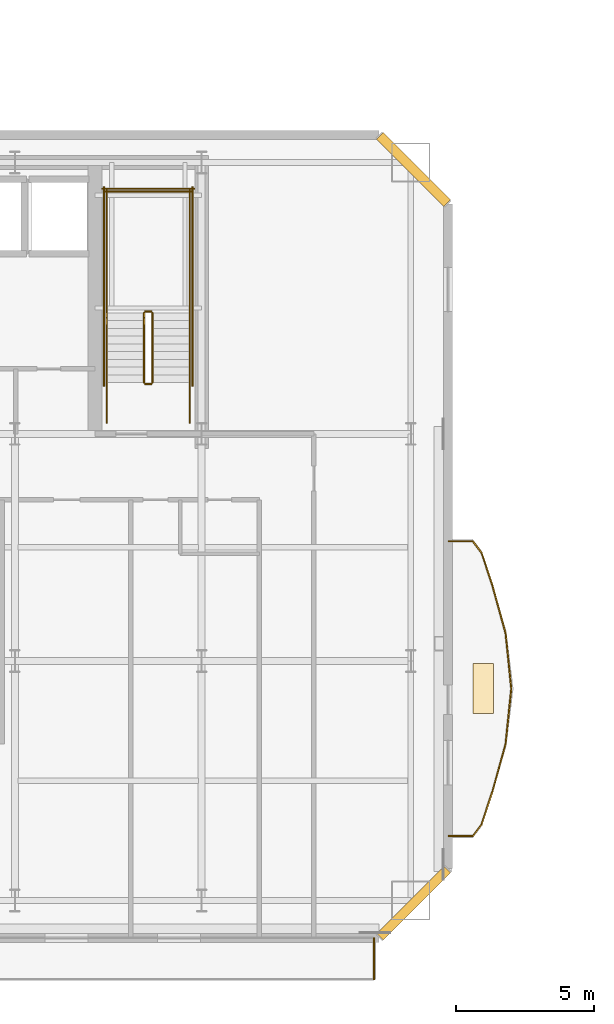
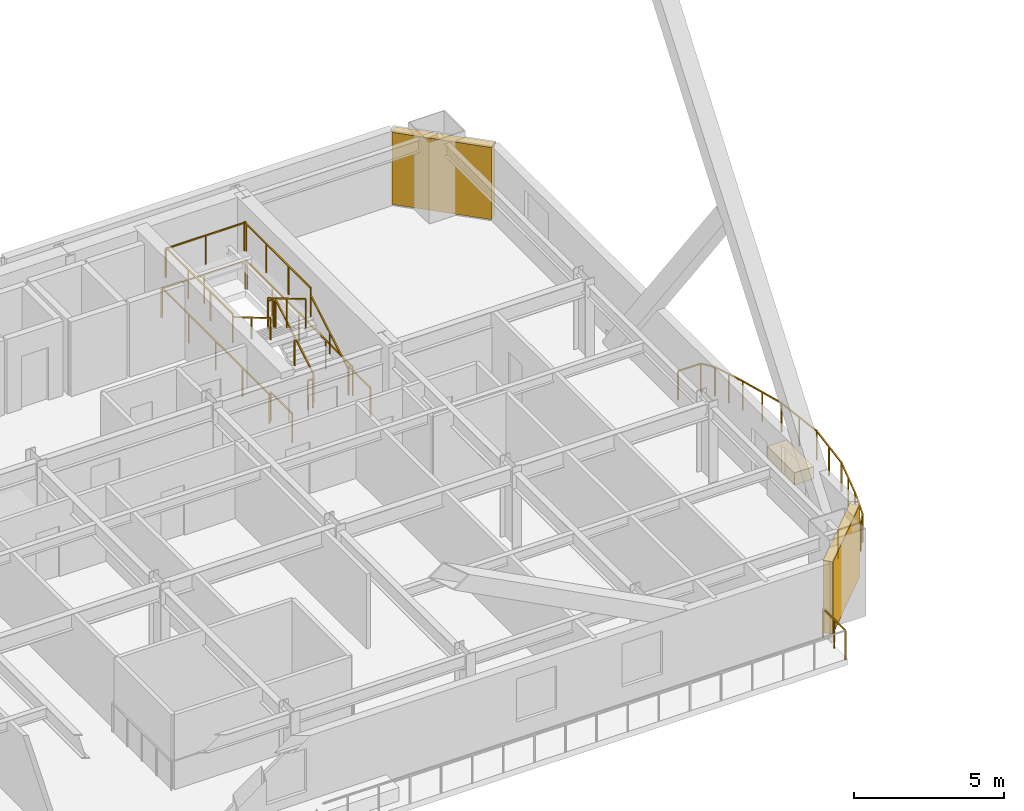
# One storey, part 19 of 22: 25 railings, 2 shading devices, 1 covering.
"""IFC4 building model written with IfcOpenShell, lengths in metres."""

from ifc_helpers import new_model, si_unit, direction, frame, origin, origin_2d, place, context, subcontext, project, spatial, rectangle, extrude, material, layer, layer_set, type_object, element, save


model = new_model("IFC4")

# Units and contexts
model_context = context("Model", 3, precision=1e-05, world=origin(), true_north=direction((0.0, 1.0)))
body_context = subcontext(model_context, "Body", "Model", "MODEL_VIEW")
ifc_project = project(units=[si_unit("LENGTHUNIT", "METRE"), si_unit("AREAUNIT", "SQUARE_METRE"), si_unit("VOLUMEUNIT", "CUBIC_METRE"), si_unit("PLANEANGLEUNIT", "RADIAN"), si_unit("MASSUNIT", "GRAM", prefix="KILO")], contexts=[model_context])

# Site, building, storey
site_placement = place(None, origin())
site = spatial("IfcSite", under=ifc_project, at=site_placement, CompositionType="ELEMENT")
building_placement = place(site_placement, origin())
building = spatial("IfcBuilding", under=site, at=building_placement, Name="Haevon Station Towers", CompositionType="ELEMENT")
storey_placement = place(building_placement, frame((0.0, 0.0, 113.10009765625)))
storey = spatial("IfcBuildingStorey", under=building, at=storey_placement, Name="L30", CompositionType="ELEMENT", Elevation=113.10009765625)

# Railings
ifc_material_1 = material(Name="Steel S355", Category="steel")
railing_type_1 = type_object("IfcRailingType", Name="GRD-EXT1200", PredefinedType="GUARDRAIL", material=ifc_material_1)
railing_1_placement = place(storey_placement, frame((57.219970703125, 18.5029296875, 0.0)))
element("IfcRailing", 1, at=railing_1_placement, inside=storey, type_object=railing_type_1, Name="L30 Perimeter Guardrail 2", PredefinedType="GUARDRAIL", context=body_context, shape_type="SweptSolid", body=[
    extrude(rectangle(XDim=0.048095703125, YDim=0.048095703125, at=origin_2d()), frame((0.0, 0.0, 1.17578125), z_axis=(0.0, 1.0, 0.0), x_axis=(-1.0, 0.0, 0.0)), (0.0, 0.0, 1.0), 1.489013671875),
    extrude(rectangle(XDim=0.0419921875, YDim=0.0419921875, at=origin_2d()), origin(), (0.0, 0.0, 1.0), 1.15185546875),
    extrude(rectangle(XDim=0.0419921875, YDim=0.0419921875, at=origin_2d()), frame((0.0, 0.74462890625, 0.0)), (0.0, 0.0, 1.0), 1.15185546875),
    extrude(rectangle(XDim=0.0419921875, YDim=0.0419921875, at=origin_2d()), frame((0.0, 1.489013671875, 0.0)), (0.0, 0.0, 1.0), 1.15185546875),
])
railing_2_placement = place(storey_placement, frame((59.92333984375, 23.677978515625, 0.0)))
element("IfcRailing", 2, at=railing_2_placement, inside=storey, type_object=railing_type_1, Name="L30 Perimeter Guardrail 1", PredefinedType="GUARDRAIL", context=body_context, shape_type="SweptSolid", body=[
    extrude(rectangle(XDim=0.048095703125, YDim=0.048095703125, at=origin_2d()), frame((0.0, 0.0, 1.17578125), z_axis=(0.999998067939, 0.001965736163, 0.0), x_axis=(-0.001965736163, 0.999998067939, 0.0)), (0.0, 0.0, 1.0), 0.869384765625),
    extrude(rectangle(XDim=0.0419921875, YDim=0.0419921875, at=origin_2d()), origin(), (0.0, 0.0, 1.0), 1.15185546875),
    extrude(rectangle(XDim=0.0419921875, YDim=0.0419921875, at=origin_2d()), frame((0.869384765625, 0.001708984375, 0.0)), (0.0, 0.0, 1.0), 1.15185546875),
])
railing_3_placement = place(storey_placement, frame((60.792724609375, 23.6796875, 0.0)))
element("IfcRailing", 3, at=railing_3_placement, inside=storey, type_object=railing_type_1, Name="L30 Perimeter Guardrail 2", PredefinedType="GUARDRAIL", context=body_context, shape_type="SweptSolid", body=[
    extrude(rectangle(XDim=0.048095703125, YDim=0.048095703125, at=origin_2d()), frame((0.0, 0.0, 1.17578125), z_axis=(0.603100928496, 0.797664885805, 0.0), x_axis=(-0.797664885805, 0.603100928496, 0.0)), (0.0, 0.0, 1.0), 0.515625),
    extrude(rectangle(XDim=0.0419921875, YDim=0.0419921875, at=origin_2d()), origin(), (0.0, 0.0, 1.0), 1.15185546875),
    extrude(rectangle(XDim=0.0419921875, YDim=0.0419921875, at=origin_2d()), frame((0.31103515625, 0.411376953125, 0.0)), (0.0, 0.0, 1.0), 1.15185546875),
])
railing_4_placement = place(storey_placement, frame((61.103759765625, 24.091064453125, 0.0)))
element("IfcRailing", 4, at=railing_4_placement, inside=storey, type_object=railing_type_1, Name="L30 Perimeter Guardrail 3", PredefinedType="GUARDRAIL", context=body_context, shape_type="SweptSolid", body=[
    extrude(rectangle(XDim=0.048095703125, YDim=0.048095703125, at=origin_2d()), frame((0.0, 0.0, 1.17578125), z_axis=(0.315217781166, 0.949019362519, 0.0), x_axis=(-0.949019362519, 0.315217781166, 0.0)), (0.0, 0.0, 1.0), 1.23291015625),
    extrude(rectangle(XDim=0.0419921875, YDim=0.0419921875, at=origin_2d()), origin(), (0.0, 0.0, 1.0), 1.15185546875),
    extrude(rectangle(XDim=0.0419921875, YDim=0.0419921875, at=origin_2d()), frame((0.1943359375, 0.5849609375, 0.0)), (0.0, 0.0, 1.0), 1.15185546875),
    extrude(rectangle(XDim=0.0419921875, YDim=0.0419921875, at=origin_2d()), frame((0.388671875, 1.170166015625, 0.0)), (0.0, 0.0, 1.0), 1.15185546875),
])
railing_5_placement = place(storey_placement, frame((61.492431640625, 25.26123046875, 0.0)))
element("IfcRailing", 5, at=railing_5_placement, inside=storey, type_object=railing_type_1, Name="L30 Perimeter Guardrail 4", PredefinedType="GUARDRAIL", context=body_context, shape_type="SweptSolid", body=[
    extrude(rectangle(XDim=0.048095703125, YDim=0.048095703125, at=origin_2d()), frame((0.0, 0.0, 1.17578125), z_axis=(0.266399621619, 0.963862667397, 0.0), x_axis=(-0.963862667397, 0.266399621619, 0.0)), (0.0, 0.0, 1.0), 1.811767578125),
    extrude(rectangle(XDim=0.0419921875, YDim=0.0419921875, at=origin_2d()), origin(), (0.0, 0.0, 1.0), 1.15185546875),
    extrude(rectangle(XDim=0.0419921875, YDim=0.0419921875, at=origin_2d()), frame((0.2412109375, 0.873046875, 0.0)), (0.0, 0.0, 1.0), 1.15185546875),
    extrude(rectangle(XDim=0.0419921875, YDim=0.0419921875, at=origin_2d()), frame((0.482666015625, 1.746337890625, 0.0)), (0.0, 0.0, 1.0), 1.15185546875),
])
railing_6_placement = place(storey_placement, frame((61.97509765625, 27.007568359375, 0.0)))
element("IfcRailing", 6, at=railing_6_placement, inside=storey, type_object=railing_type_1, Name="L30 Perimeter Guardrail 5", PredefinedType="GUARDRAIL", context=body_context, shape_type="SweptSolid", body=[
    extrude(rectangle(XDim=0.048095703125, YDim=0.048095703125, at=origin_2d()), frame((0.0, 0.0, 1.17578125), z_axis=(0.101663875027, 0.994818805871, 0.0), x_axis=(-0.994818805871, 0.101663875027, 0.0)), (0.0, 0.0, 1.0), 2.0029296875),
    extrude(rectangle(XDim=0.0419921875, YDim=0.0419921875, at=origin_2d()), origin(), (0.0, 0.0, 1.0), 1.15185546875),
    extrude(rectangle(XDim=0.0419921875, YDim=0.0419921875, at=origin_2d()), frame((0.101806640625, 0.99609375, 0.0)), (0.0, 0.0, 1.0), 1.15185546875),
    extrude(rectangle(XDim=0.0419921875, YDim=0.0419921875, at=origin_2d()), frame((0.20361328125, 1.992431640625, 0.0)), (0.0, 0.0, 1.0), 1.15185546875),
])
railing_7_placement = place(storey_placement, frame((62.1787109375, 29.0, 0.0)))
element("IfcRailing", 7, at=railing_7_placement, inside=storey, type_object=railing_type_1, Name="L30 Perimeter Guardrail 6", PredefinedType="GUARDRAIL", context=body_context, shape_type="SweptSolid", body=[
    extrude(rectangle(XDim=0.048095703125, YDim=0.048095703125, at=origin_2d()), frame((0.0, 0.0, 1.17578125), z_axis=(-0.101663875027, 0.994818805871, 0.0), x_axis=(-0.994818805871, -0.101663875027, 0.0)), (0.0, 0.0, 1.0), 2.0029296875),
    extrude(rectangle(XDim=0.0419921875, YDim=0.0419921875, at=origin_2d()), origin(), (0.0, 0.0, 1.0), 1.15185546875),
    extrude(rectangle(XDim=0.0419921875, YDim=0.0419921875, at=origin_2d()), frame((-0.101806640625, 0.99609375, 0.0)), (0.0, 0.0, 1.0), 1.15185546875),
    extrude(rectangle(XDim=0.0419921875, YDim=0.0419921875, at=origin_2d()), frame((-0.20361328125, 1.992431640625, 0.0)), (0.0, 0.0, 1.0), 1.15185546875),
])
railing_8_placement = place(storey_placement, frame((61.97509765625, 30.992431640625, 0.0)))
element("IfcRailing", 8, at=railing_8_placement, inside=storey, type_object=railing_type_1, Name="L30 Perimeter Guardrail 7", PredefinedType="GUARDRAIL", context=body_context, shape_type="SweptSolid", body=[
    extrude(rectangle(XDim=0.048095703125, YDim=0.048095703125, at=origin_2d()), frame((0.0, 0.0, 1.17578125), z_axis=(-0.266399621619, 0.963862667397, 0.0), x_axis=(-0.963862667397, -0.266399621619, 0.0)), (0.0, 0.0, 1.0), 1.811767578125),
    extrude(rectangle(XDim=0.0419921875, YDim=0.0419921875, at=origin_2d()), origin(), (0.0, 0.0, 1.0), 1.15185546875),
    extrude(rectangle(XDim=0.0419921875, YDim=0.0419921875, at=origin_2d()), frame((-0.2412109375, 0.873046875, 0.0)), (0.0, 0.0, 1.0), 1.15185546875),
    extrude(rectangle(XDim=0.0419921875, YDim=0.0419921875, at=origin_2d()), frame((-0.482666015625, 1.746337890625, 0.0)), (0.0, 0.0, 1.0), 1.15185546875),
])
railing_9_placement = place(storey_placement, frame((61.492431640625, 32.73876953125, 0.0)))
element("IfcRailing", 9, at=railing_9_placement, inside=storey, type_object=railing_type_1, Name="L30 Perimeter Guardrail 8", PredefinedType="GUARDRAIL", context=body_context, shape_type="SweptSolid", body=[
    extrude(rectangle(XDim=0.048095703125, YDim=0.048095703125, at=origin_2d()), frame((0.0, 0.0, 1.17578125), z_axis=(-0.315217781166, 0.949019362519, 0.0), x_axis=(-0.949019362519, -0.315217781166, 0.0)), (0.0, 0.0, 1.0), 1.23291015625),
    extrude(rectangle(XDim=0.0419921875, YDim=0.0419921875, at=origin_2d()), origin(), (0.0, 0.0, 1.0), 1.15185546875),
    extrude(rectangle(XDim=0.0419921875, YDim=0.0419921875, at=origin_2d()), frame((-0.1943359375, 0.5849609375, 0.0)), (0.0, 0.0, 1.0), 1.15185546875),
    extrude(rectangle(XDim=0.0419921875, YDim=0.0419921875, at=origin_2d()), frame((-0.388671875, 1.170166015625, 0.0)), (0.0, 0.0, 1.0), 1.15185546875),
])
railing_10_placement = place(storey_placement, frame((61.103759765625, 33.908935546875, 0.0)))
element("IfcRailing", 10, at=railing_10_placement, inside=storey, type_object=railing_type_1, Name="L30 Perimeter Guardrail 9", PredefinedType="GUARDRAIL", context=body_context, shape_type="SweptSolid", body=[
    extrude(rectangle(XDim=0.048095703125, YDim=0.048095703125, at=origin_2d()), frame((0.0, 0.0, 1.17578125), z_axis=(-0.603100928496, 0.797664885805, 0.0), x_axis=(-0.797664885805, -0.603100928496, 0.0)), (0.0, 0.0, 1.0), 0.515625),
    extrude(rectangle(XDim=0.0419921875, YDim=0.0419921875, at=origin_2d()), origin(), (0.0, 0.0, 1.0), 1.15185546875),
    extrude(rectangle(XDim=0.0419921875, YDim=0.0419921875, at=origin_2d()), frame((-0.31103515625, 0.411376953125, 0.0)), (0.0, 0.0, 1.0), 1.15185546875),
])
railing_11_placement = place(storey_placement, frame((60.792724609375, 34.3203125, 0.0)))
element("IfcRailing", 11, at=railing_11_placement, inside=storey, type_object=railing_type_1, Name="L30 Perimeter Guardrail 10", PredefinedType="GUARDRAIL", context=body_context, shape_type="SweptSolid", body=[
    extrude(rectangle(XDim=0.048095703125, YDim=0.048095703125, at=origin_2d()), frame((0.0, 0.0, 1.17578125), z_axis=(-0.999998067939, 0.001965736163, 0.0), x_axis=(-0.001965736163, -0.999998067939, 0.0)), (0.0, 0.0, 1.0), 0.869384765625),
    extrude(rectangle(XDim=0.0419921875, YDim=0.0419921875, at=origin_2d()), origin(), (0.0, 0.0, 1.0), 1.15185546875),
    extrude(rectangle(XDim=0.0419921875, YDim=0.0419921875, at=origin_2d()), frame((-0.869384765625, 0.001708984375, 0.0)), (0.0, 0.0, 1.0), 1.15185546875),
])
railing_type_2 = type_object("IfcRailingType", Name="GRD-STR1200", PredefinedType="GUARDRAIL", material=ifc_material_1)
railing_12_placement = place(storey_placement, frame((49.219970703125, 40.050048828125, 0.164794921875)))
element("IfcRailing", 12, at=railing_12_placement, inside=storey, type_object=railing_type_2, Name="L30 ST2 Stair Guard 1", PredefinedType="GUARDRAIL", context=body_context, shape_type="SweptSolid", body=[
    extrude(rectangle(XDim=0.048095703125, YDim=0.048095703125, at=origin_2d()), frame((0.0, 0.0, 1.17578125), z_axis=(0.0, 0.86152411907, 0.507716645641), x_axis=(-1.0, 0.0, 0.0)), (0.0, 0.0, 1.0), 2.925048828125),
    extrude(rectangle(XDim=0.0419921875, YDim=0.0419921875, at=origin_2d()), origin(), (0.0, 0.0, 1.0), 1.15185546875),
    extrude(rectangle(XDim=0.0419921875, YDim=0.0419921875, at=origin_2d()), frame((0.0, 1.260009765625, 0.74267578125)), (0.0, 0.0, 1.0), 1.15185546875),
    extrude(rectangle(XDim=0.0419921875, YDim=0.0419921875, at=origin_2d()), frame((0.0, 2.52001953125, 1.485107421875)), (0.0, 0.0, 1.0), 1.15185546875),
])
railing_13_placement = place(storey_placement, frame((49.169921875, 42.6201171875, 1.64990234375)))
element("IfcRailing", 13, at=railing_13_placement, inside=storey, type_object=railing_type_2, Name="L30 ST2 Stair Guard 2", PredefinedType="GUARDRAIL", context=body_context, shape_type="SweptSolid", body=[
    extrude(rectangle(XDim=0.048095703125, YDim=0.048095703125, at=origin_2d()), frame((0.0, 0.0, 1.17578125), z_axis=(-1.0, 0.0, 0.0), x_axis=(0.0, -1.0, 0.0)), (0.0, 0.0, 1.0), 0.199951171875),
    extrude(rectangle(XDim=0.0419921875, YDim=0.0419921875, at=origin_2d()), origin(), (0.0, 0.0, 1.0), 1.15185546875),
    extrude(rectangle(XDim=0.0419921875, YDim=0.0419921875, at=origin_2d()), frame((-0.199951171875, 0.0, 0.0)), (0.0, 0.0, 1.0), 1.15185546875),
])
for number, where, name in (
    (14, (50.570068359375, 42.570068359375, 1.64990234375), "L30 ST2 Stair Guard 3"),
    (15, (47.570068359375, 42.570068359375, 1.64990234375), "L30 ST2 Stair Guard 4"),
):
    element("IfcRailing", number, at=place(storey_placement, frame(where)), inside=storey, type_object=railing_type_2, Name=name, PredefinedType="GUARDRAIL", context=body_context, shape_type="SweptSolid", body=[
        extrude(rectangle(XDim=0.048095703125, YDim=0.048095703125, at=origin_2d()), frame((0.0, 0.0, 1.17578125), z_axis=(0.0, 1.0, 0.0), x_axis=(-1.0, 0.0, 0.0)), (0.0, 0.0, 1.0), 4.429931640625),
        extrude(rectangle(XDim=0.0419921875, YDim=0.0419921875, at=origin_2d()), origin(), (0.0, 0.0, 1.0), 1.15185546875),
        extrude(rectangle(XDim=0.0419921875, YDim=0.0419921875, at=origin_2d()), frame((0.0, 1.4765625, 0.0)), (0.0, 0.0, 1.0), 1.15185546875),
        extrude(rectangle(XDim=0.0419921875, YDim=0.0419921875, at=origin_2d()), frame((0.0, 2.953369140625, 0.0)), (0.0, 0.0, 1.0), 1.15185546875),
        extrude(rectangle(XDim=0.0419921875, YDim=0.0419921875, at=origin_2d()), frame((0.0, 4.429931640625, 0.0)), (0.0, 0.0, 1.0), 1.15185546875),
    ])
railing_14_placement = place(storey_placement, frame((50.6201171875, 46.949951171875, 1.64990234375)))
element("IfcRailing", 16, at=railing_14_placement, inside=storey, type_object=railing_type_2, Name="L30 ST2 Stair Guard 5", PredefinedType="GUARDRAIL", context=body_context, shape_type="SweptSolid", body=[
    extrude(rectangle(XDim=0.048095703125, YDim=0.048095703125, at=origin_2d()), frame((0.0, 0.0, 1.17578125), z_axis=(-1.0, 0.0, 0.0), x_axis=(0.0, -1.0, 0.0)), (0.0, 0.0, 1.0), 3.10009765625),
    extrude(rectangle(XDim=0.0419921875, YDim=0.0419921875, at=origin_2d()), origin(), (0.0, 0.0, 1.0), 1.15185546875),
    extrude(rectangle(XDim=0.0419921875, YDim=0.0419921875, at=origin_2d()), frame((-1.550048828125, 0.0, 0.0)), (0.0, 0.0, 1.0), 1.15185546875),
    extrude(rectangle(XDim=0.0419921875, YDim=0.0419921875, at=origin_2d()), frame((-3.10009765625, 0.0, 0.0)), (0.0, 0.0, 1.0), 1.15185546875),
])
railing_15_placement = place(storey_placement, frame((48.919921875, 42.570068359375, 1.81494140625)))
element("IfcRailing", 17, at=railing_15_placement, inside=storey, type_object=railing_type_2, Name="L30 ST2 Stair Guard 6", PredefinedType="GUARDRAIL", context=body_context, shape_type="SweptSolid", body=[
    extrude(rectangle(XDim=0.048095703125, YDim=0.048095703125, at=origin_2d()), frame((0.0, 0.0, 1.17578125), z_axis=(0.0, -0.861560626758, 0.507654692109), x_axis=(1.0, 0.0, 0.0)), (0.0, 0.0, 1.0), 2.925048828125),
    extrude(rectangle(XDim=0.0419921875, YDim=0.0419921875, at=origin_2d()), origin(), (0.0, 0.0, 1.0), 1.15185546875),
    extrude(rectangle(XDim=0.0419921875, YDim=0.0419921875, at=origin_2d()), frame((0.0, -1.260009765625, 0.742431640625)), (0.0, 0.0, 1.0), 1.15185546875),
    extrude(rectangle(XDim=0.0419921875, YDim=0.0419921875, at=origin_2d()), frame((0.0, -2.52001953125, 1.48486328125)), (0.0, 0.0, 1.0), 1.15185546875),
])
railing_16_placement = place(storey_placement, frame((49.169921875, 40.0, 0.0)))
element("IfcRailing", 18, at=railing_16_placement, inside=storey, type_object=railing_type_2, Name="L30 ST2 Stair Guard 7", PredefinedType="GUARDRAIL", context=body_context, shape_type="SweptSolid", body=[
    extrude(rectangle(XDim=0.048095703125, YDim=0.048095703125, at=origin_2d()), frame((0.0, 0.0, 1.17578125), z_axis=(-1.0, 0.0, 0.0), x_axis=(0.0, -1.0, 0.0)), (0.0, 0.0, 1.0), 0.199951171875),
    extrude(rectangle(XDim=0.0419921875, YDim=0.0419921875, at=origin_2d()), origin(), (0.0, 0.0, 1.0), 1.15185546875),
    extrude(rectangle(XDim=0.0419921875, YDim=0.0419921875, at=origin_2d()), frame((-0.199951171875, 0.0, 0.0)), (0.0, 0.0, 1.0), 1.15185546875),
])
for number, where, name in (
    (19, (50.570068359375, 38.60009765625, 0.0), "L30 ST2 Stair Guard 8"),
    (20, (47.570068359375, 38.60009765625, 0.0), "L30 ST2 Stair Guard 9"),
):
    element("IfcRailing", number, at=place(storey_placement, frame(where)), inside=storey, type_object=railing_type_2, Name=name, PredefinedType="GUARDRAIL", context=body_context, shape_type="SweptSolid", body=[
        extrude(rectangle(XDim=0.048095703125, YDim=0.048095703125, at=origin_2d()), frame((0.0, 0.0, 1.17578125), z_axis=(0.0, 1.0, 0.0), x_axis=(-1.0, 0.0, 0.0)), (0.0, 0.0, 1.0), 1.449951171875),
        extrude(rectangle(XDim=0.0419921875, YDim=0.0419921875, at=origin_2d()), origin(), (0.0, 0.0, 1.0), 1.15185546875),
        extrude(rectangle(XDim=0.0419921875, YDim=0.0419921875, at=origin_2d()), frame((0.0, 1.449951171875, 0.0)), (0.0, 0.0, 1.0), 1.15185546875),
    ])
for number, where, name in (
    (21, (50.669921875, 39.949951171875, 0.0), "L30 ST2 Stair Guard 10"),
    (22, (47.469970703125, 39.949951171875, 0.0), "L30 ST2 Stair Guard 11"),
):
    element("IfcRailing", number, at=place(storey_placement, frame(where)), inside=storey, type_object=railing_type_2, Name=name, PredefinedType="GUARDRAIL", context=body_context, shape_type="SweptSolid", body=[
        extrude(rectangle(XDim=0.048095703125, YDim=0.048095703125, at=origin_2d()), frame((0.0, 0.0, 1.17578125), z_axis=(0.0, 1.0, 0.0), x_axis=(-1.0, 0.0, 0.0)), (0.0, 0.0, 1.0), 7.150146484375),
        extrude(rectangle(XDim=0.0419921875, YDim=0.0419921875, at=origin_2d()), origin(), (0.0, 0.0, 1.0), 1.15185546875),
        extrude(rectangle(XDim=0.0419921875, YDim=0.0419921875, at=origin_2d()), frame((0.0, 1.78759765625, 0.0)), (0.0, 0.0, 1.0), 1.15185546875),
        extrude(rectangle(XDim=0.0419921875, YDim=0.0419921875, at=origin_2d()), frame((0.0, 3.5751953125, 0.0)), (0.0, 0.0, 1.0), 1.15185546875),
        extrude(rectangle(XDim=0.0419921875, YDim=0.0419921875, at=origin_2d()), frame((0.0, 5.362548828125, 0.0)), (0.0, 0.0, 1.0), 1.15185546875),
        extrude(rectangle(XDim=0.0419921875, YDim=0.0419921875, at=origin_2d()), frame((0.0, 7.150146484375, 0.0)), (0.0, 0.0, 1.0), 1.15185546875),
    ])
railing_17_placement = place(storey_placement, frame((50.719970703125, 47.050048828125, 0.0)))
element("IfcRailing", 23, at=railing_17_placement, inside=storey, type_object=railing_type_2, Name="L30 ST2 Stair Guard 12", PredefinedType="GUARDRAIL", context=body_context, shape_type="SweptSolid", body=[
    extrude(rectangle(XDim=0.048095703125, YDim=0.048095703125, at=origin_2d()), frame((0.0, 0.0, 1.17578125), z_axis=(-1.0, 0.0, 0.0), x_axis=(0.0, -1.0, 0.0)), (0.0, 0.0, 1.0), 3.300048828125),
    extrude(rectangle(XDim=0.0419921875, YDim=0.0419921875, at=origin_2d()), origin(), (0.0, 0.0, 1.0), 1.15185546875),
    extrude(rectangle(XDim=0.0419921875, YDim=0.0419921875, at=origin_2d()), frame((-1.64990234375, 0.0, 0.0)), (0.0, 0.0, 1.0), 1.15185546875),
    extrude(rectangle(XDim=0.0419921875, YDim=0.0419921875, at=origin_2d()), frame((-3.300048828125, 0.0, 0.0)), (0.0, 0.0, 1.0), 1.15185546875),
])
railing_type_3 = type_object("IfcRailingType", Name="HND-STR900", PredefinedType="HANDRAIL", material=ifc_material_1)
railing_18_placement = place(storey_placement, frame((50.570068359375, 40.050048828125, 0.164794921875)))
element("IfcRailing", 24, at=railing_18_placement, inside=storey, type_object=railing_type_3, Name="L30 ST2 Stair Handrail 1", PredefinedType="HANDRAIL", context=body_context, shape_type="SweptSolid", body=[
    extrude(rectangle(XDim=0.048095703125, YDim=0.048095703125, at=origin_2d()), frame((0.0, 0.0, 0.8759765625), z_axis=(0.0, 0.86152411907, 0.507716645641), x_axis=(-1.0, 0.0, 0.0)), (0.0, 0.0, 1.0), 2.925048828125),
    extrude(rectangle(XDim=0.0419921875, YDim=0.0419921875, at=origin_2d()), origin(), (0.0, 0.0, 1.0), 0.851806640625),
    extrude(rectangle(XDim=0.0419921875, YDim=0.0419921875, at=origin_2d()), frame((0.0, 1.260009765625, 0.74267578125)), (0.0, 0.0, 1.0), 0.851806640625),
    extrude(rectangle(XDim=0.0419921875, YDim=0.0419921875, at=origin_2d()), frame((0.0, 2.52001953125, 1.485107421875)), (0.0, 0.0, 1.0), 0.851806640625),
])
railing_19_placement = place(storey_placement, frame((47.570068359375, 42.570068359375, 1.81494140625)))
element("IfcRailing", 25, at=railing_19_placement, inside=storey, type_object=railing_type_3, Name="L30 ST2 Stair Handrail 2", PredefinedType="HANDRAIL", context=body_context, shape_type="SweptSolid", body=[
    extrude(rectangle(XDim=0.048095703125, YDim=0.048095703125, at=origin_2d()), frame((0.0, 0.0, 0.8759765625), z_axis=(0.0, -0.861560626758, 0.507654692109), x_axis=(1.0, 0.0, 0.0)), (0.0, 0.0, 1.0), 2.925048828125),
    extrude(rectangle(XDim=0.0419921875, YDim=0.0419921875, at=origin_2d()), origin(), (0.0, 0.0, 1.0), 0.851806640625),
    extrude(rectangle(XDim=0.0419921875, YDim=0.0419921875, at=origin_2d()), frame((0.0, -1.260009765625, 0.742431640625)), (0.0, 0.0, 1.0), 0.851806640625),
    extrude(rectangle(XDim=0.0419921875, YDim=0.0419921875, at=origin_2d()), frame((0.0, -2.52001953125, 1.48486328125)), (0.0, 0.0, 1.0), 0.851806640625),
])

# Covering
ifc_material_2 = material(Name="Architectural planter GRC", Category="concrete")
ifc_layer_1 = layer(ifc_material_2, 0.550048828125)
ifc_layer_set_1 = layer_set([ifc_layer_1], Name="Architectural planter GRC")
covering_type = type_object("IfcCoveringType", Name="PLN-GRC550", PredefinedType="MOLDING", material=ifc_layer_set_1)
covering_placement = place(storey_placement, frame((61.168701171875, 29.0, 0.0), z_axis=(0.0, 0.0, 1.0), x_axis=(1.0, 0.0, 0.0)))
element("IfcCovering", 26, at=covering_placement, inside=storey, type_object=covering_type, Name="Tower 1 L30 Scalloped Balcony PLANTER", PredefinedType="MOLDING", context=body_context, shape_type="SweptSolid", body=[
    extrude(rectangle(XDim=0.75, YDim=1.800048828125, at=origin_2d()), origin(), (0.0, 0.0, 1.0), 0.5),
])

# Shading devices
ifc_material_3 = material(Name="Anodised aluminium 6063-T6", Category="aluminium")
ifc_layer_2 = layer(ifc_material_3, 0.139892578125)
ifc_layer_set_2 = layer_set([ifc_layer_2], Name="Anodised aluminium 6063-T6")
shading_device_type = type_object("IfcShadingDeviceType", Name="SHD-WIND-BAFFLE", PredefinedType="SHUTTER", material=ifc_layer_set_2)
for number, where, z_axis, x_axis, name in (
    (27, (58.64990234375, 47.75, 0.0498046875), (0.0, 0.0, 1.0), (0.707106781187, -0.707106781187, 0.0), "Tower 1 L30 Wind-Corner Aerofoil Baffle NEC"),
    (28, (58.64990234375, 21.25, 0.0498046875), (0.0, 0.0, 1.0), (-0.707106781187, -0.707106781187, 0.0), "Tower 1 L30 Wind-Corner Aerofoil Baffle SEC"),
):
    element("IfcShadingDevice", number, at=place(storey_placement, frame(where, z_axis=z_axis, x_axis=x_axis)), inside=storey, type_object=shading_device_type, Name=name, PredefinedType="SHUTTER", context=body_context, shape_type="SweptSolid", body=[
        extrude(rectangle(XDim=3.435546875, YDim=0.340087890625, at=origin_2d()), origin(), (0.0, 0.0, 1.0), 2.929931640625),
    ])

save(model, "model.ifc")
